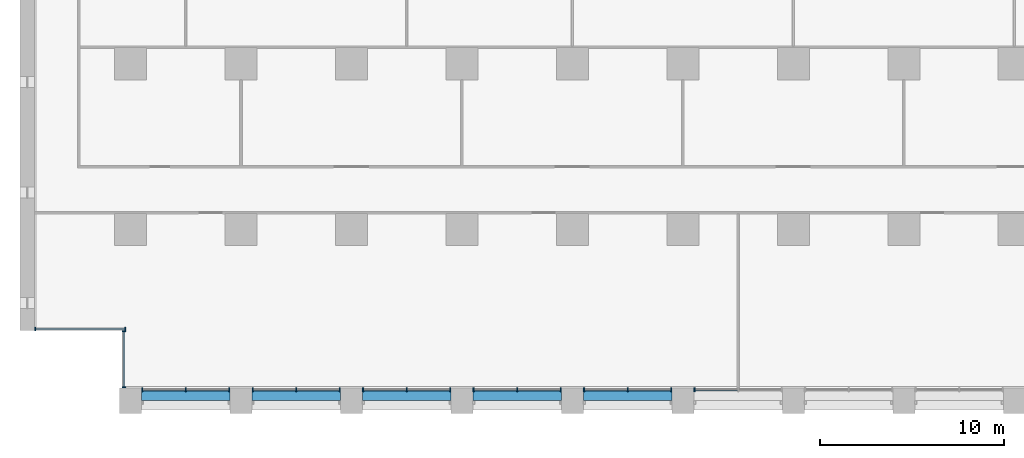
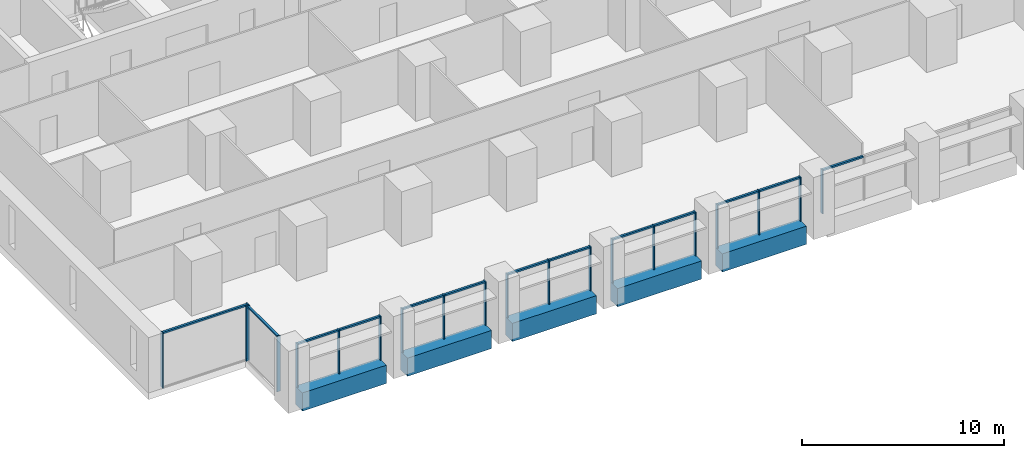
# One storey, part 2 of 18: 33 members, 5 beams, 8 elements without a shape of their own.
"""IFC4 building model written with IfcOpenShell, lengths in metres."""

from ifc_helpers import new_model, si_unit, direction, frame, origin, origin_2d, place, context, subcontext, project, spatial, rectangle, extrude, material, material_profile, profile_set, type_object, element, aggregate, save


model = new_model("IFC4")

# Units and contexts
model_context = context("Model", 3, precision=1e-05, world=origin(), true_north=direction((0.0, 1.0)))
body_context = subcontext(model_context, "Body", "Model", "MODEL_VIEW")
ifc_project = project(units=[si_unit("LENGTHUNIT", "METRE"), si_unit("AREAUNIT", "SQUARE_METRE"), si_unit("VOLUMEUNIT", "CUBIC_METRE"), si_unit("PLANEANGLEUNIT", "RADIAN"), si_unit("MASSUNIT", "GRAM", prefix="KILO")], contexts=[model_context])

# Site, building, storey
site_placement = place(None, origin())
site = spatial("IfcSite", under=ifc_project, at=site_placement, CompositionType="ELEMENT")
building_placement = place(site_placement, origin())
building = spatial("IfcBuilding", under=site, at=building_placement, Name="Calvaro Tower", CompositionType="ELEMENT")
storey_placement = place(building_placement, frame((0.0, 0.0, 37.5)))
storey = spatial("IfcBuildingStorey", under=building, at=storey_placement, Name="L08", CompositionType="ELEMENT", Elevation=37.5)

# Curtain wall, members
ifc_material_1 = material(Name="Anodised aluminium", Category="aluminium")
curtain_wall_type = type_object("IfcCurtainWallType", Name="Office curtain wall, lower zone", PredefinedType="NOTDEFINED", material=ifc_material_1)
curtain_wall_1_placement = place(storey_placement, origin())
curtain_wall_1 = element("IfcCurtainWall", 1, at=curtain_wall_1_placement, inside=storey, type_object=curtain_wall_type, Name="CW1 south curtain wall", PredefinedType="NOTDEFINED")
ifc_material_2 = material(Name="Anodised aluminium", Category="aluminium")
ifc_material_profile_1 = material_profile(ifc_material_2, rectangle(XDim=0.199951171875, YDim=0.06005859375, at=origin_2d()), Name="Mullion S1 60 x 200")
ifc_profile_set_1 = profile_set([ifc_material_profile_1], Name="Anodised aluminium")
member_type_1 = type_object("IfcMemberType", Name="Mullion S1 60 x 200", PredefinedType="MULLION", material=ifc_profile_set_1)
member_1_placement = place(storey_placement, frame((6.6298828125, 1.300048828125, 0.0), z_axis=(0.0, 0.0, 1.0), x_axis=(0.0, 1.0, 0.0)))
member_1 = element("IfcMember", 2, at=member_1_placement, type_object=member_type_1, Name="CW1 mullion 1", PredefinedType="MULLION", context=body_context, shape_type="SweptSolid", body=[
    extrude(rectangle(XDim=0.199951171875, YDim=0.06005859375, at=origin_2d()), origin(), (0.0, 0.0, 1.0), 2.64990234375),
])
member_2_placement = place(storey_placement, frame((9.0, 1.300048828125, 0.0), z_axis=(0.0, 0.0, 1.0), x_axis=(0.0, 1.0, 0.0)))
member_2 = element("IfcMember", 3, at=member_2_placement, type_object=member_type_1, Name="CW1 mullion 2", PredefinedType="MULLION", context=body_context, shape_type="SweptSolid", body=[
    extrude(rectangle(XDim=0.199951171875, YDim=0.06005859375, at=origin_2d()), origin(), (0.0, 0.0, 1.0), 2.64990234375),
])
member_3_placement = place(storey_placement, frame((11.3701171875, 1.300048828125, 0.0), z_axis=(0.0, 0.0, 1.0), x_axis=(0.0, 1.0, 0.0)))
member_3 = element("IfcMember", 4, at=member_3_placement, type_object=member_type_1, Name="CW1 mullion 3", PredefinedType="MULLION", context=body_context, shape_type="SweptSolid", body=[
    extrude(rectangle(XDim=0.199951171875, YDim=0.06005859375, at=origin_2d()), origin(), (0.0, 0.0, 1.0), 2.64990234375),
])

curtain_wall_2_placement = place(storey_placement, origin())
curtain_wall_2 = element("IfcCurtainWall", 5, at=curtain_wall_2_placement, inside=storey, type_object=curtain_wall_type, Name="CW1 south curtain wall", PredefinedType="NOTDEFINED")
member_4_placement = place(storey_placement, frame((12.6298828125, 1.300048828125, 0.0), z_axis=(0.0, 0.0, 1.0), x_axis=(0.0, 1.0, 0.0)))
member_4 = element("IfcMember", 6, at=member_4_placement, type_object=member_type_1, Name="CW1 mullion 1", PredefinedType="MULLION", context=body_context, shape_type="SweptSolid", body=[
    extrude(rectangle(XDim=0.199951171875, YDim=0.06005859375, at=origin_2d()), origin(), (0.0, 0.0, 1.0), 2.64990234375),
])
member_5_placement = place(storey_placement, frame((15.0, 1.300048828125, 0.0), z_axis=(0.0, 0.0, 1.0), x_axis=(0.0, 1.0, 0.0)))
member_5 = element("IfcMember", 7, at=member_5_placement, type_object=member_type_1, Name="CW1 mullion 2", PredefinedType="MULLION", context=body_context, shape_type="SweptSolid", body=[
    extrude(rectangle(XDim=0.199951171875, YDim=0.06005859375, at=origin_2d()), origin(), (0.0, 0.0, 1.0), 2.64990234375),
])
member_6_placement = place(storey_placement, frame((17.3701171875, 1.300048828125, 0.0), z_axis=(0.0, 0.0, 1.0), x_axis=(0.0, 1.0, 0.0)))
member_6 = element("IfcMember", 8, at=member_6_placement, type_object=member_type_1, Name="CW1 mullion 3", PredefinedType="MULLION", context=body_context, shape_type="SweptSolid", body=[
    extrude(rectangle(XDim=0.199951171875, YDim=0.06005859375, at=origin_2d()), origin(), (0.0, 0.0, 1.0), 2.64990234375),
])

curtain_wall_3_placement = place(storey_placement, origin())
curtain_wall_3 = element("IfcCurtainWall", 9, at=curtain_wall_3_placement, inside=storey, type_object=curtain_wall_type, Name="CW1 south curtain wall", PredefinedType="NOTDEFINED")
member_7_placement = place(storey_placement, frame((18.6298828125, 1.300048828125, 0.0), z_axis=(0.0, 0.0, 1.0), x_axis=(0.0, 1.0, 0.0)))
member_7 = element("IfcMember", 10, at=member_7_placement, type_object=member_type_1, Name="CW1 mullion 1", PredefinedType="MULLION", context=body_context, shape_type="SweptSolid", body=[
    extrude(rectangle(XDim=0.199951171875, YDim=0.06005859375, at=origin_2d()), origin(), (0.0, 0.0, 1.0), 2.64990234375),
])
member_8_placement = place(storey_placement, frame((21.0, 1.300048828125, 0.0), z_axis=(0.0, 0.0, 1.0), x_axis=(0.0, 1.0, 0.0)))
member_8 = element("IfcMember", 11, at=member_8_placement, type_object=member_type_1, Name="CW1 mullion 2", PredefinedType="MULLION", context=body_context, shape_type="SweptSolid", body=[
    extrude(rectangle(XDim=0.199951171875, YDim=0.06005859375, at=origin_2d()), origin(), (0.0, 0.0, 1.0), 2.64990234375),
])
member_9_placement = place(storey_placement, frame((23.3701171875, 1.300048828125, 0.0), z_axis=(0.0, 0.0, 1.0), x_axis=(0.0, 1.0, 0.0)))
member_9 = element("IfcMember", 12, at=member_9_placement, type_object=member_type_1, Name="CW1 mullion 3", PredefinedType="MULLION", context=body_context, shape_type="SweptSolid", body=[
    extrude(rectangle(XDim=0.199951171875, YDim=0.06005859375, at=origin_2d()), origin(), (0.0, 0.0, 1.0), 2.64990234375),
])

curtain_wall_4_placement = place(storey_placement, origin())
curtain_wall_4 = element("IfcCurtainWall", 13, at=curtain_wall_4_placement, inside=storey, type_object=curtain_wall_type, Name="CW1 south curtain wall", PredefinedType="NOTDEFINED")
member_10_placement = place(storey_placement, frame((24.6298828125, 1.300048828125, 0.0), z_axis=(0.0, 0.0, 1.0), x_axis=(0.0, 1.0, 0.0)))
member_10 = element("IfcMember", 14, at=member_10_placement, type_object=member_type_1, Name="CW1 mullion 1", PredefinedType="MULLION", context=body_context, shape_type="SweptSolid", body=[
    extrude(rectangle(XDim=0.199951171875, YDim=0.06005859375, at=origin_2d()), origin(), (0.0, 0.0, 1.0), 2.64990234375),
])
member_11_placement = place(storey_placement, frame((27.0, 1.300048828125, 0.0), z_axis=(0.0, 0.0, 1.0), x_axis=(0.0, 1.0, 0.0)))
member_11 = element("IfcMember", 15, at=member_11_placement, type_object=member_type_1, Name="CW1 mullion 2", PredefinedType="MULLION", context=body_context, shape_type="SweptSolid", body=[
    extrude(rectangle(XDim=0.199951171875, YDim=0.06005859375, at=origin_2d()), origin(), (0.0, 0.0, 1.0), 2.64990234375),
])
member_12_placement = place(storey_placement, frame((29.3701171875, 1.300048828125, 0.0), z_axis=(0.0, 0.0, 1.0), x_axis=(0.0, 1.0, 0.0)))
member_12 = element("IfcMember", 16, at=member_12_placement, type_object=member_type_1, Name="CW1 mullion 3", PredefinedType="MULLION", context=body_context, shape_type="SweptSolid", body=[
    extrude(rectangle(XDim=0.199951171875, YDim=0.06005859375, at=origin_2d()), origin(), (0.0, 0.0, 1.0), 2.64990234375),
])

curtain_wall_5_placement = place(storey_placement, origin())
curtain_wall_5 = element("IfcCurtainWall", 17, at=curtain_wall_5_placement, inside=storey, type_object=curtain_wall_type, Name="CW1 south curtain wall", PredefinedType="NOTDEFINED")
member_13_placement = place(storey_placement, frame((30.6298828125, 1.300048828125, 0.0), z_axis=(0.0, 0.0, 1.0), x_axis=(0.0, 1.0, 0.0)))
member_13 = element("IfcMember", 18, at=member_13_placement, type_object=member_type_1, Name="CW1 mullion 1", PredefinedType="MULLION", context=body_context, shape_type="SweptSolid", body=[
    extrude(rectangle(XDim=0.199951171875, YDim=0.06005859375, at=origin_2d()), origin(), (0.0, 0.0, 1.0), 2.64990234375),
])
member_14_placement = place(storey_placement, frame((33.0, 1.300048828125, 0.0), z_axis=(0.0, 0.0, 1.0), x_axis=(0.0, 1.0, 0.0)))
member_14 = element("IfcMember", 19, at=member_14_placement, type_object=member_type_1, Name="CW1 mullion 2", PredefinedType="MULLION", context=body_context, shape_type="SweptSolid", body=[
    extrude(rectangle(XDim=0.199951171875, YDim=0.06005859375, at=origin_2d()), origin(), (0.0, 0.0, 1.0), 2.64990234375),
])
member_15_placement = place(storey_placement, frame((35.3701171875, 1.300048828125, 0.0), z_axis=(0.0, 0.0, 1.0), x_axis=(0.0, 1.0, 0.0)))
member_15 = element("IfcMember", 20, at=member_15_placement, type_object=member_type_1, Name="CW1 mullion 3", PredefinedType="MULLION", context=body_context, shape_type="SweptSolid", body=[
    extrude(rectangle(XDim=0.199951171875, YDim=0.06005859375, at=origin_2d()), origin(), (0.0, 0.0, 1.0), 2.64990234375),
])

# Curtain wall, member
curtain_wall_6_placement = place(storey_placement, origin())
curtain_wall_6 = element("IfcCurtainWall", 21, at=curtain_wall_6_placement, inside=storey, type_object=curtain_wall_type, Name="CW1 south curtain wall", PredefinedType="NOTDEFINED")
member_16_placement = place(storey_placement, frame((36.6298828125, 1.300048828125, 0.0), z_axis=(0.0, 0.0, 1.0), x_axis=(0.0, 1.0, 0.0)))
member_16 = element("IfcMember", 22, at=member_16_placement, type_object=member_type_1, Name="CW1 mullion 1", PredefinedType="MULLION", context=body_context, shape_type="SweptSolid", body=[
    extrude(rectangle(XDim=0.199951171875, YDim=0.06005859375, at=origin_2d()), origin(), (0.0, 0.0, 1.0), 2.64990234375),
])

# Curtain wall, members
curtain_wall_7_placement = place(storey_placement, origin())
curtain_wall_7 = element("IfcCurtainWall", 23, at=curtain_wall_7_placement, inside=storey, type_object=curtain_wall_type, Name="CW1 corner curtain wall", PredefinedType="NOTDEFINED")
member_17_placement = place(storey_placement, frame((5.64990234375, 1.429931640625, 0.0), z_axis=(0.0, 0.0, 1.0), x_axis=(-1.0, 0.0, 0.0)))
member_17 = element("IfcMember", 24, at=member_17_placement, type_object=member_type_1, Name="CW1 mullion 1", PredefinedType="MULLION", context=body_context, shape_type="SweptSolid", body=[
    extrude(rectangle(XDim=0.199951171875, YDim=0.06005859375, at=origin_2d()), origin(), (0.0, 0.0, 1.0), 3.35009765625),
])
member_18_placement = place(storey_placement, frame((5.64990234375, 4.469970703125, 0.0), z_axis=(0.0, 0.0, 1.0), x_axis=(-1.0, 0.0, 0.0)))
member_18 = element("IfcMember", 25, at=member_18_placement, type_object=member_type_1, Name="CW1 mullion 2", PredefinedType="MULLION", context=body_context, shape_type="SweptSolid", body=[
    extrude(rectangle(XDim=0.199951171875, YDim=0.06005859375, at=origin_2d()), origin(), (0.0, 0.0, 1.0), 3.35009765625),
])

curtain_wall_8_placement = place(storey_placement, origin())
curtain_wall_8 = element("IfcCurtainWall", 26, at=curtain_wall_8_placement, inside=storey, type_object=curtain_wall_type, Name="CW1 corner curtain wall", PredefinedType="NOTDEFINED")
member_19_placement = place(storey_placement, frame((0.830078125, 4.60009765625, 0.0), z_axis=(0.0, 0.0, 1.0), x_axis=(0.0, 1.0, 0.0)))
member_19 = element("IfcMember", 27, at=member_19_placement, type_object=member_type_1, Name="CW1 mullion 1", PredefinedType="MULLION", context=body_context, shape_type="SweptSolid", body=[
    extrude(rectangle(XDim=0.199951171875, YDim=0.06005859375, at=origin_2d()), origin(), (0.0, 0.0, 1.0), 3.35009765625),
])
member_20_placement = place(storey_placement, frame((5.719970703125, 4.60009765625, 0.0), z_axis=(0.0, 0.0, 1.0), x_axis=(0.0, 1.0, 0.0)))
member_20 = element("IfcMember", 28, at=member_20_placement, type_object=member_type_1, Name="CW1 mullion 2", PredefinedType="MULLION", context=body_context, shape_type="SweptSolid", body=[
    extrude(rectangle(XDim=0.199951171875, YDim=0.06005859375, at=origin_2d()), origin(), (0.0, 0.0, 1.0), 3.35009765625),
])

# Beams
ifc_material_3 = material(Name="Concrete C50/60 precast", Category="concrete")
ifc_material_profile_2 = material_profile(ifc_material_3, rectangle(XDim=0.699951171875, YDim=1.10009765625, at=origin_2d()), Name="RC 700x1100")
ifc_profile_set_2 = profile_set([ifc_material_profile_2], Name="Concrete C50/60 precast")
beam_type = type_object("IfcBeamType", Name="Spandrel beam 700x1100 C50/60", PredefinedType="SPANDREL", material=ifc_profile_set_2)
for number, where, z_axis, x_axis, name in (
    (29, (6.60009765625, 1.050048828125, -0.550048828125), (1.0, 0.0, 0.0), (0.0, 1.0, 0.0), "Spandrel beam"),
    (30, (12.60009765625, 1.050048828125, -0.550048828125), (1.0, 0.0, 0.0), (0.0, 1.0, 0.0), "Spandrel beam"),
    (31, (18.60009765625, 1.050048828125, -0.550048828125), (1.0, 0.0, 0.0), (0.0, 1.0, 0.0), "Spandrel beam"),
    (32, (24.60009765625, 1.050048828125, -0.550048828125), (1.0, 0.0, 0.0), (0.0, 1.0, 0.0), "Spandrel beam"),
    (33, (30.60009765625, 1.050048828125, -0.550048828125), (1.0, 0.0, 0.0), (0.0, 1.0, 0.0), "Spandrel beam"),
):
    element("IfcBeam", number, at=place(storey_placement, frame(where, z_axis=z_axis, x_axis=x_axis)), inside=storey, type_object=beam_type, Name=name, PredefinedType="SPANDREL", context=body_context, shape_type="SweptSolid", body=[
        extrude(rectangle(XDim=0.699951171875, YDim=1.10009765625, at=origin_2d()), origin(), (0.0, 0.0, 1.0), 4.7998046875),
    ])

# Member
ifc_material_4 = material(Name="Anodised aluminium", Category="aluminium")
ifc_material_profile_3 = material_profile(ifc_material_4, rectangle(XDim=0.1201171875, YDim=0.10009765625, at=origin_2d()), Name="Transom S1 100 x 120")
ifc_profile_set_3 = profile_set([ifc_material_profile_3], Name="Anodised aluminium")
member_type_2 = type_object("IfcMemberType", Name="Transom S1 100 x 120", PredefinedType="USERDEFINED", material=ifc_profile_set_3)
member_21_placement = place(storey_placement, frame((6.659912109375, 1.300048828125, 2.60009765625), z_axis=(1.0, 0.0, 0.0), x_axis=(0.0, 1.0, 0.0)))
member_21 = element("IfcMember", 34, at=member_21_placement, type_object=member_type_2, Name="CW1 transom 1.1", ObjectType="TRANSOM", PredefinedType="USERDEFINED", context=body_context, shape_type="SweptSolid", body=[
    extrude(rectangle(XDim=0.1201171875, YDim=0.10009765625, at=origin_2d()), origin(), (0.0, 0.0, 1.0), 2.31005859375),
])

member_22_placement = place(storey_placement, frame((9.030029296875, 1.300048828125, 2.60009765625), z_axis=(1.0, 0.0, 0.0), x_axis=(0.0, 1.0, 0.0)))
member_22 = element("IfcMember", 35, at=member_22_placement, type_object=member_type_2, Name="CW1 transom 2.1", ObjectType="TRANSOM", PredefinedType="USERDEFINED", context=body_context, shape_type="SweptSolid", body=[
    extrude(rectangle(XDim=0.1201171875, YDim=0.10009765625, at=origin_2d()), origin(), (0.0, 0.0, 1.0), 2.31005859375),
])

aggregate(curtain_wall_1, [member_1, member_2, member_3, member_21, member_22])

member_23_placement = place(storey_placement, frame((12.659912109375, 1.300048828125, 2.60009765625), z_axis=(1.0, 0.0, 0.0), x_axis=(0.0, 1.0, 0.0)))
member_23 = element("IfcMember", 36, at=member_23_placement, type_object=member_type_2, Name="CW1 transom 1.1", ObjectType="TRANSOM", PredefinedType="USERDEFINED", context=body_context, shape_type="SweptSolid", body=[
    extrude(rectangle(XDim=0.1201171875, YDim=0.10009765625, at=origin_2d()), origin(), (0.0, 0.0, 1.0), 2.31005859375),
])

member_24_placement = place(storey_placement, frame((15.030029296875, 1.300048828125, 2.60009765625), z_axis=(1.0, 0.0, 0.0), x_axis=(0.0, 1.0, 0.0)))
member_24 = element("IfcMember", 37, at=member_24_placement, type_object=member_type_2, Name="CW1 transom 2.1", ObjectType="TRANSOM", PredefinedType="USERDEFINED", context=body_context, shape_type="SweptSolid", body=[
    extrude(rectangle(XDim=0.1201171875, YDim=0.10009765625, at=origin_2d()), origin(), (0.0, 0.0, 1.0), 2.31005859375),
])

aggregate(curtain_wall_2, [member_4, member_5, member_6, member_23, member_24])

member_25_placement = place(storey_placement, frame((18.659912109375, 1.300048828125, 2.60009765625), z_axis=(1.0, 0.0, 0.0), x_axis=(0.0, 1.0, 0.0)))
member_25 = element("IfcMember", 38, at=member_25_placement, type_object=member_type_2, Name="CW1 transom 1.1", ObjectType="TRANSOM", PredefinedType="USERDEFINED", context=body_context, shape_type="SweptSolid", body=[
    extrude(rectangle(XDim=0.1201171875, YDim=0.10009765625, at=origin_2d()), origin(), (0.0, 0.0, 1.0), 2.31005859375),
])

member_26_placement = place(storey_placement, frame((21.030029296875, 1.300048828125, 2.60009765625), z_axis=(1.0, 0.0, 0.0), x_axis=(0.0, 1.0, 0.0)))
member_26 = element("IfcMember", 39, at=member_26_placement, type_object=member_type_2, Name="CW1 transom 2.1", ObjectType="TRANSOM", PredefinedType="USERDEFINED", context=body_context, shape_type="SweptSolid", body=[
    extrude(rectangle(XDim=0.1201171875, YDim=0.10009765625, at=origin_2d()), origin(), (0.0, 0.0, 1.0), 2.31005859375),
])

aggregate(curtain_wall_3, [member_7, member_8, member_9, member_25, member_26])

member_27_placement = place(storey_placement, frame((24.659912109375, 1.300048828125, 2.60009765625), z_axis=(1.0, 0.0, 0.0), x_axis=(0.0, 1.0, 0.0)))
member_27 = element("IfcMember", 40, at=member_27_placement, type_object=member_type_2, Name="CW1 transom 1.1", ObjectType="TRANSOM", PredefinedType="USERDEFINED", context=body_context, shape_type="SweptSolid", body=[
    extrude(rectangle(XDim=0.1201171875, YDim=0.10009765625, at=origin_2d()), origin(), (0.0, 0.0, 1.0), 2.31005859375),
])

member_28_placement = place(storey_placement, frame((27.030029296875, 1.300048828125, 2.60009765625), z_axis=(1.0, 0.0, 0.0), x_axis=(0.0, 1.0, 0.0)))
member_28 = element("IfcMember", 41, at=member_28_placement, type_object=member_type_2, Name="CW1 transom 2.1", ObjectType="TRANSOM", PredefinedType="USERDEFINED", context=body_context, shape_type="SweptSolid", body=[
    extrude(rectangle(XDim=0.1201171875, YDim=0.10009765625, at=origin_2d()), origin(), (0.0, 0.0, 1.0), 2.31005859375),
])

aggregate(curtain_wall_4, [member_10, member_11, member_12, member_27, member_28])

member_29_placement = place(storey_placement, frame((30.659912109375, 1.300048828125, 2.60009765625), z_axis=(1.0, 0.0, 0.0), x_axis=(0.0, 1.0, 0.0)))
member_29 = element("IfcMember", 42, at=member_29_placement, type_object=member_type_2, Name="CW1 transom 1.1", ObjectType="TRANSOM", PredefinedType="USERDEFINED", context=body_context, shape_type="SweptSolid", body=[
    extrude(rectangle(XDim=0.1201171875, YDim=0.10009765625, at=origin_2d()), origin(), (0.0, 0.0, 1.0), 2.31005859375),
])

member_30_placement = place(storey_placement, frame((33.030029296875, 1.300048828125, 2.60009765625), z_axis=(1.0, 0.0, 0.0), x_axis=(0.0, 1.0, 0.0)))
member_30 = element("IfcMember", 43, at=member_30_placement, type_object=member_type_2, Name="CW1 transom 2.1", ObjectType="TRANSOM", PredefinedType="USERDEFINED", context=body_context, shape_type="SweptSolid", body=[
    extrude(rectangle(XDim=0.1201171875, YDim=0.10009765625, at=origin_2d()), origin(), (0.0, 0.0, 1.0), 2.31005859375),
])

aggregate(curtain_wall_5, [member_13, member_14, member_15, member_29, member_30])

member_31_placement = place(storey_placement, frame((36.659912109375, 1.300048828125, 2.60009765625), z_axis=(1.0, 0.0, 0.0), x_axis=(0.0, 1.0, 0.0)))
member_31 = element("IfcMember", 44, at=member_31_placement, type_object=member_type_2, Name="CW1 transom 1.1", ObjectType="TRANSOM", PredefinedType="USERDEFINED", context=body_context, shape_type="SweptSolid", body=[
    extrude(rectangle(XDim=0.1201171875, YDim=0.10009765625, at=origin_2d()), origin(), (0.0, 0.0, 1.0), 2.31005859375),
])

aggregate(curtain_wall_6, [member_16, member_31])

member_32_placement = place(storey_placement, frame((5.64990234375, 1.4599609375, 3.300048828125), z_axis=(0.0, 1.0, 0.0), x_axis=(-1.0, 0.0, 0.0)))
member_32 = element("IfcMember", 45, at=member_32_placement, type_object=member_type_2, Name="CW1 transom 1.1", ObjectType="TRANSOM", PredefinedType="USERDEFINED", context=body_context, shape_type="SweptSolid", body=[
    extrude(rectangle(XDim=0.1201171875, YDim=0.10009765625, at=origin_2d()), origin(), (0.0, 0.0, 1.0), 2.97998046875),
])

aggregate(curtain_wall_7, [member_17, member_18, member_32])

member_33_placement = place(storey_placement, frame((0.860107421875, 4.60009765625, 3.300048828125), z_axis=(1.0, 0.0, 0.0), x_axis=(0.0, 1.0, 0.0)))
member_33 = element("IfcMember", 46, at=member_33_placement, type_object=member_type_2, Name="CW1 transom 1.1", ObjectType="TRANSOM", PredefinedType="USERDEFINED", context=body_context, shape_type="SweptSolid", body=[
    extrude(rectangle(XDim=0.1201171875, YDim=0.10009765625, at=origin_2d()), origin(), (0.0, 0.0, 1.0), 4.829833984375),
])

aggregate(curtain_wall_8, [member_19, member_20, member_33])

save(model, "model.ifc")
